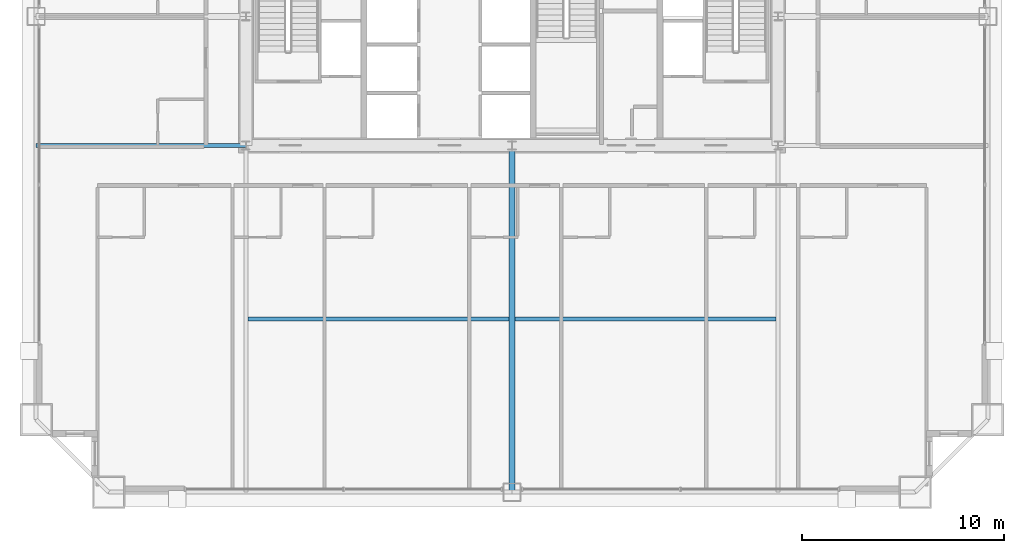
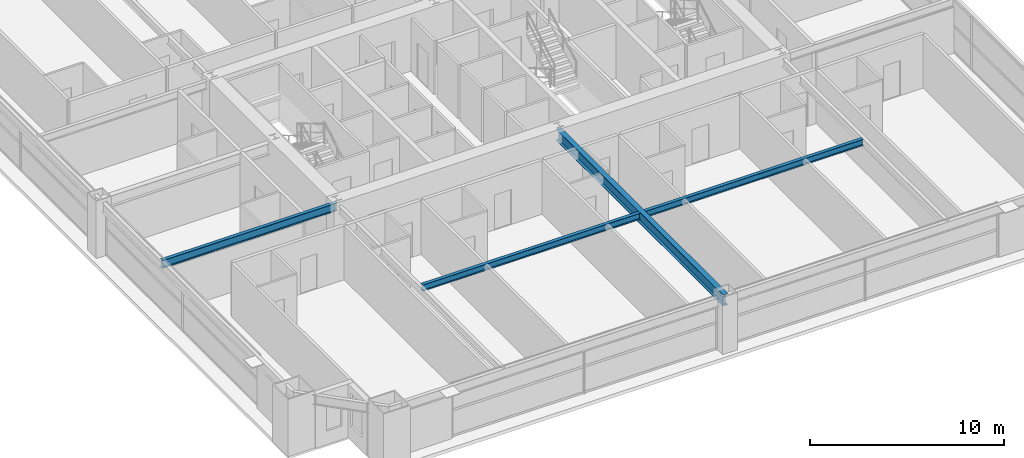
# One storey, part 10 of 38: 4 beams.
"""IFC4 building model written with IfcOpenShell, lengths in metres."""

from ifc_helpers import new_model, si_unit, direction, frame, origin, origin_2d, place, context, subcontext, project, spatial, i_section, extrude, source, transform, mapped, material, material_profile, profile_set, type_object, element, save


model = new_model("IFC4")

# Units and contexts
model_context = context("Model", 3, precision=1e-05, world=origin(), true_north=direction((0.0, 1.0)))
body_context = subcontext(model_context, "Body", "Model", "MODEL_VIEW")
ifc_project = project(units=[si_unit("LENGTHUNIT", "METRE"), si_unit("AREAUNIT", "SQUARE_METRE"), si_unit("VOLUMEUNIT", "CUBIC_METRE"), si_unit("PLANEANGLEUNIT", "RADIAN"), si_unit("MASSUNIT", "GRAM", prefix="KILO"), si_unit("THERMODYNAMICTEMPERATUREUNIT", "KELVIN"), si_unit("POWERUNIT", "WATT")], contexts=[model_context])

# Site, building, storey
site_placement = place(None, origin())
site = spatial("IfcSite", under=ifc_project, at=site_placement, CompositionType="ELEMENT")
building_placement = place(site_placement, origin())
building = spatial("IfcBuilding", under=site, at=building_placement, Name="Yuzanri Waterfront Tower", CompositionType="ELEMENT")
storey_placement = place(building_placement, frame((0.0, 0.0, 97.39990234375)))
storey = spatial("IfcBuildingStorey", under=building, at=storey_placement, Name="L25", CompositionType="ELEMENT", Elevation=97.39990234375)

# Beams
ifc_material_1 = material(Name="Steel Q355B", Category="steel")
ifc_material_profile_1 = material_profile(ifc_material_1, i_section(OverallWidth=0.199951171875, OverallDepth=0.39990234375, WebThickness=0.008056640625, FlangeThickness=0.012939453125, at=origin_2d()), Name="HN 400x200x8x13")
ifc_profile_set_1 = profile_set([ifc_material_profile_1], Name="Steel Q355B")
beam_type_1 = type_object("IfcBeamType", Name="Floor Joist Q355B HN 400x200", PredefinedType="JOIST", material=ifc_profile_set_1)
shared_shape_1 = source(origin(), body_context, "Body", "SweptSolid", [
    extrude(i_section(OverallWidth=0.199951171875, OverallDepth=0.39990234375, WebThickness=0.008056640625, FlangeThickness=0.012939453125, at=origin_2d()), origin(), (0.0, 0.0, 1.0), 12.9501953125),
])
for number, where, z_axis, x_axis, name in (
    (1, (23.89990234375, 10.800048828125, 3.18017578125), (1.0, 0.0, 0.0), (0.0, 1.0, 0.0), "L25 South Bay Joist W"),
    (2, (37.14990234375, 10.800048828125, 3.18017578125), (1.0, 0.0, 0.0), (0.0, 1.0, 0.0), "L25 South Bay Joist E"),
):
    element("IfcBeam", number, at=place(storey_placement, frame(where, z_axis=z_axis, x_axis=x_axis)), inside=storey, type_object=beam_type_1, Name=name, PredefinedType="JOIST", context=body_context, shape_type="MappedRepresentation", body=[
        mapped(shared_shape_1, transform((0.0, 0.0, 0.0), scale=1.0)),
    ])
ifc_material_2 = material(Name="Steel Q355B", Category="steel")
ifc_material_profile_2 = material_profile(ifc_material_2, i_section(OverallWidth=0.300048828125, OverallDepth=0.699951171875, WebThickness=0.012939453125, FlangeThickness=0.02392578125, at=origin_2d()), Name="HN 700x300x13x24")
ifc_profile_set_2 = profile_set([ifc_material_profile_2], Name="Steel Q355B")
beam_type_2 = type_object("IfcBeamType", Name="Primary Floor Girder Q355B HN 700x300", PredefinedType="BEAM", material=ifc_profile_set_2)
shared_shape_2 = source(origin(), body_context, "Body", "SweptSolid", [
    extrude(i_section(OverallWidth=0.300048828125, OverallDepth=0.699951171875, WebThickness=0.012939453125, FlangeThickness=0.02392578125, at=origin_2d()), origin(), (0.0, 0.0, 1.0), 17.199951171875),
])
beam_1_placement = place(storey_placement, frame((37.0, 19.39990234375, 3.030029296875), z_axis=(0.0, -1.0, 0.0), x_axis=(1.0, 0.0, 0.0)))
element("IfcBeam", 3, at=beam_1_placement, inside=storey, type_object=beam_type_2, Name="L25 South Grid Girder", PredefinedType="BEAM", context=body_context, shape_type="MappedRepresentation", body=[
    mapped(shared_shape_2, transform((0.0, 0.0, 0.0), scale=1.0)),
])
ifc_material_3 = material(Name="Steel Q355B", Category="steel")
ifc_material_profile_3 = material_profile(ifc_material_3, i_section(OverallWidth=0.199951171875, OverallDepth=0.5, WebThickness=0.010009765625, FlangeThickness=0.01611328125, at=origin_2d()), Name="HN 500x200x10x16")
ifc_profile_set_3 = profile_set([ifc_material_profile_3], Name="Steel Q355B")
beam_type_3 = type_object("IfcBeamType", Name="Secondary Floor Beam Q355B HN 500x200", PredefinedType="BEAM", material=ifc_profile_set_3)
shared_shape_3 = source(origin(), body_context, "Body", "SweptSolid", [
    extrude(i_section(OverallWidth=0.199951171875, OverallDepth=0.5, WebThickness=0.010009765625, FlangeThickness=0.01611328125, at=origin_2d()), origin(), (0.0, 0.0, 1.0), 10.400146484375),
])
beam_2_placement = place(storey_placement, frame((23.800048828125, 19.39990234375, 3.130126953125), z_axis=(-1.0, 0.0, 0.0), x_axis=(0.0, -1.0, 0.0)))
element("IfcBeam", 4, at=beam_2_placement, inside=storey, type_object=beam_type_3, Name="L25 West-South Core Line Beam", PredefinedType="BEAM", context=body_context, shape_type="MappedRepresentation", body=[
    mapped(shared_shape_3, transform((0.0, 0.0, 0.0), scale=1.0)),
])

save(model, "model.ifc")
